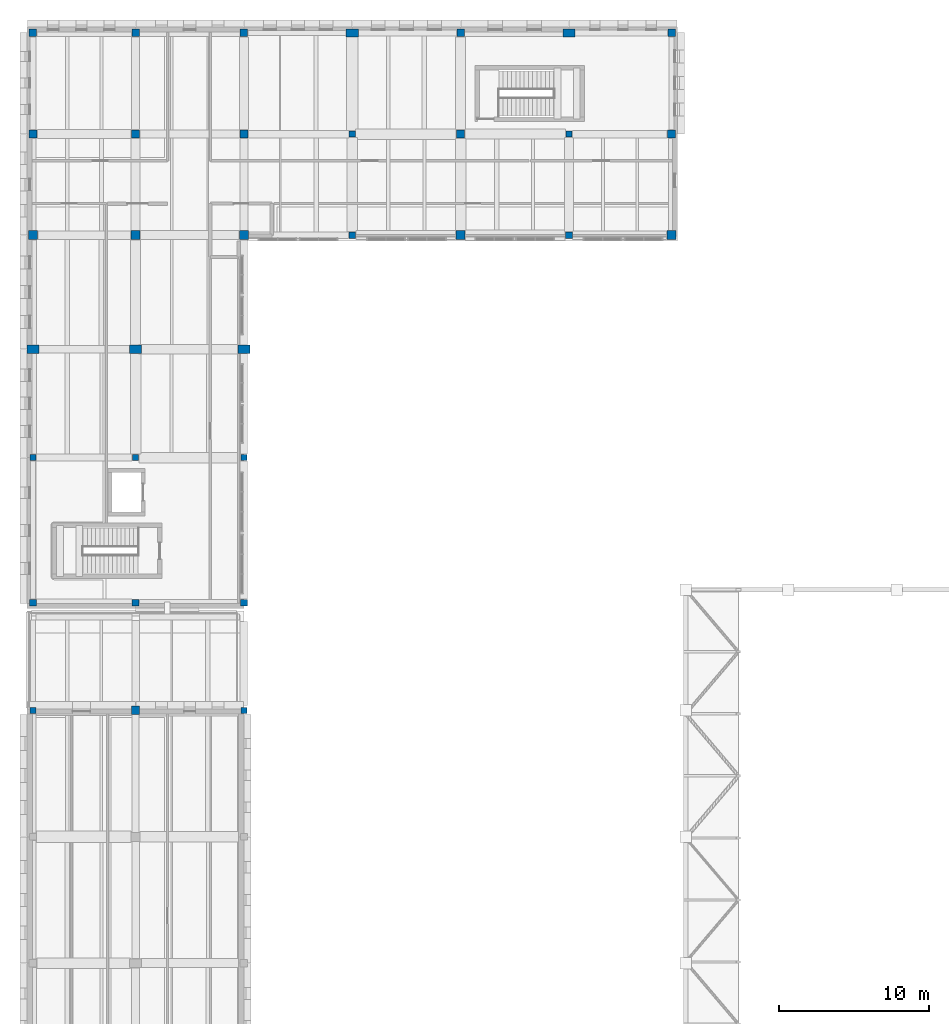
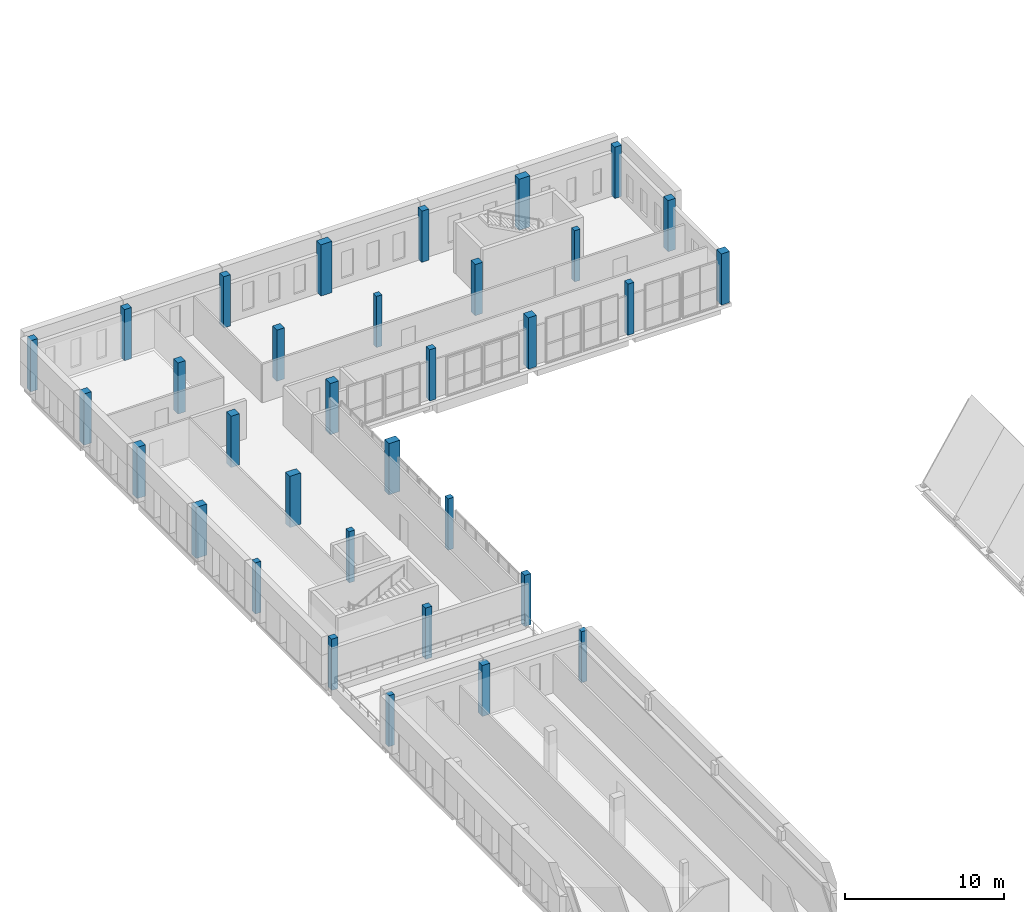
# One storey, part 6 of 56: 33 columns.
"""IFC4 building model written with IfcOpenShell, lengths in metres."""

from ifc_helpers import new_model, si_unit, direction, frame, origin, origin_2d, place, context, subcontext, project, spatial, rectangle, extrude, material, material_profile, profile_set, type_object, element, save


model = new_model("IFC4")

# Units and contexts
model_context = context("Model", 3, precision=1e-05, world=origin(), true_north=direction((0.0, 1.0)))
body_context = subcontext(model_context, "Body", "Model", "MODEL_VIEW")
ifc_project = project(units=[si_unit("LENGTHUNIT", "METRE"), si_unit("AREAUNIT", "SQUARE_METRE"), si_unit("VOLUMEUNIT", "CUBIC_METRE"), si_unit("PLANEANGLEUNIT", "RADIAN"), si_unit("MASSUNIT", "GRAM", prefix="KILO")], contexts=[model_context])

# Site, building, storey
site_placement = place(None, origin())
site = spatial("IfcSite", under=ifc_project, at=site_placement, CompositionType="ELEMENT")
building_placement = place(site_placement, origin())
building = spatial("IfcBuilding", under=site, at=building_placement, Name="Vardoun Plaza Health Centre", CompositionType="ELEMENT")
storey_placement = place(building_placement, frame((0.0, 0.0, 8.699951171875)))
storey = spatial("IfcBuildingStorey", under=building, at=storey_placement, Name="L02", CompositionType="ELEMENT", Elevation=8.699951171875)

# Columns
ifc_material_1 = material(Name="Concrete C40/50", Category="concrete")
ifc_material_profile_1 = material_profile(ifc_material_1, rectangle(XDim=0.39990234375, YDim=0.39990234375, at=origin_2d()), Name="RC-COL 400x400")
ifc_profile_set_1 = profile_set([ifc_material_profile_1], Name="Concrete C40/50")
column_type_1 = type_object("IfcColumnType", Name="C-08", PredefinedType="COLUMN", material=ifc_profile_set_1)
for number, where, z_axis, x_axis, name in (
    (1, (4.8798828125, 69.900146484375, 0.0), (0.0, 0.0, 1.0), (1.0, 0.0, 0.0), "V2 L02 Column C-V2-09"),
    (2, (18.89990234375, 69.900146484375, 0.0), (0.0, 0.0, 1.0), (1.0, 0.0, 0.0), "V2 L02 Column C-V2-27"),
):
    element("IfcColumn", number, at=place(storey_placement, frame(where, z_axis=z_axis, x_axis=x_axis)), inside=storey, type_object=column_type_1, Name=name, PredefinedType="COLUMN", context=body_context, shape_type="SweptSolid", body=[
        extrude(rectangle(XDim=0.39990234375, YDim=0.39990234375, at=origin_2d()), origin(), (0.0, 0.0, 1.0), 3.920166015625),
    ])
for number, where, z_axis, x_axis, name in (
    (3, (4.8798828125, 86.699951171875, 0.0), (0.0, 0.0, 1.0), (1.0, 0.0, 0.0), "V3 L02 Column C-V3-02"),
    (4, (11.699951171875, 86.699951171875, 0.0), (0.0, 0.0, 1.0), (1.0, 0.0, 0.0), "V3 L02 Column C-V3-08"),
    (5, (18.89990234375, 86.699951171875, 0.0), (0.0, 0.0, 1.0), (1.0, 0.0, 0.0), "V3 L02 Column C-V3-14"),
    (6, (26.10009765625, 108.199951171875, 0.0), (0.0, 0.0, 1.0), (1.0, 0.0, 0.0), "V3 L02 Column C-V3-20"),
    (7, (40.5, 108.199951171875, 0.0), (0.0, 0.0, 1.0), (1.0, 0.0, 0.0), "V3 L02 Column C-V3-26"),
):
    element("IfcColumn", number, at=place(storey_placement, frame(where, z_axis=z_axis, x_axis=x_axis)), inside=storey, type_object=column_type_1, Name=name, PredefinedType="COLUMN", context=body_context, shape_type="SweptSolid", body=[
        extrude(rectangle(XDim=0.39990234375, YDim=0.39990234375, at=origin_2d()), origin(), (0.0, 0.0, 1.0), 3.93505859375),
    ])
ifc_material_2 = material(Name="Concrete C40/50", Category="concrete")
ifc_material_profile_2 = material_profile(ifc_material_2, rectangle(XDim=0.449951171875, YDim=0.449951171875, at=origin_2d()), Name="RC-COL 450x450")
ifc_profile_set_2 = profile_set([ifc_material_profile_2], Name="Concrete C40/50")
column_type_2 = type_object("IfcColumnType", Name="C-07", PredefinedType="COLUMN", material=ifc_profile_set_2)
for number, where, z_axis, x_axis, name in (
    (8, (4.8798828125, 77.06005859375, 0.0), (0.0, 0.0, 1.0), (1.0, 0.0, 0.0), "V3 L02 Column C-V3-01"),
    (9, (11.699951171875, 77.06005859375, 0.0), (0.0, 0.0, 1.0), (1.0, 0.0, 0.0), "V3 L02 Column C-V3-07"),
    (10, (18.89990234375, 77.06005859375, 0.0), (0.0, 0.0, 1.0), (1.0, 0.0, 0.0), "V3 L02 Column C-V3-13"),
    (11, (26.10009765625, 101.47998046875, 0.0), (0.0, 0.0, 1.0), (1.0, 0.0, 0.0), "V3 L02 Column C-V3-19"),
    (12, (40.5, 101.47998046875, 0.0), (0.0, 0.0, 1.0), (1.0, 0.0, 0.0), "V3 L02 Column C-V3-25"),
):
    element("IfcColumn", number, at=place(storey_placement, frame(where, z_axis=z_axis, x_axis=x_axis)), inside=storey, type_object=column_type_2, Name=name, PredefinedType="COLUMN", context=body_context, shape_type="SweptSolid", body=[
        extrude(rectangle(XDim=0.449951171875, YDim=0.449951171875, at=origin_2d()), origin(), (0.0, 0.0, 1.0), 3.93505859375),
    ])
ifc_material_3 = material(Name="Concrete C40/50", Category="concrete")
ifc_material_profile_3 = material_profile(ifc_material_3, rectangle(XDim=0.5, YDim=0.5, at=origin_2d()), Name="RC-COL 500x500")
ifc_profile_set_3 = profile_set([ifc_material_profile_3], Name="Concrete C40/50")
column_type_3 = type_object("IfcColumnType", Name="C-06", PredefinedType="COLUMN", material=ifc_profile_set_3)
for number, where, z_axis, x_axis, name in (
    (13, (4.8798828125, 114.919921875, 0.0), (0.0, 0.0, 1.0), (1.0, 0.0, 0.0), "V3 L02 Column C-V3-06"),
    (14, (11.699951171875, 114.919921875, 0.0), (0.0, 0.0, 1.0), (1.0, 0.0, 0.0), "V3 L02 Column C-V3-12"),
    (15, (18.89990234375, 114.919921875, 0.0), (0.0, 0.0, 1.0), (1.0, 0.0, 0.0), "V3 L02 Column C-V3-18"),
    (16, (33.300048828125, 114.919921875, 0.0), (0.0, 0.0, 1.0), (1.0, 0.0, 0.0), "V3 L02 Column C-V3-24"),
    (17, (47.320068359375, 114.919921875, 0.0), (0.0, 0.0, 1.0), (1.0, 0.0, 0.0), "V3 L02 Column C-V3-30"),
):
    element("IfcColumn", number, at=place(storey_placement, frame(where, z_axis=z_axis, x_axis=x_axis)), inside=storey, type_object=column_type_3, Name=name, PredefinedType="COLUMN", context=body_context, shape_type="SweptSolid", body=[
        extrude(rectangle(XDim=0.5, YDim=0.5, at=origin_2d()), origin(), (0.0, 0.0, 1.0), 3.93505859375),
    ])
ifc_material_4 = material(Name="Concrete C40/50", Category="concrete")
ifc_material_profile_4 = material_profile(ifc_material_4, rectangle(XDim=0.550048828125, YDim=0.550048828125, at=origin_2d()), Name="RC-COL 550x550")
ifc_profile_set_4 = profile_set([ifc_material_profile_4], Name="Concrete C40/50")
column_type_4 = type_object("IfcColumnType", Name="C-05", PredefinedType="COLUMN", material=ifc_profile_set_4)
column_placement = place(storey_placement, frame((11.699951171875, 69.900146484375, 0.0), z_axis=(0.0, 0.0, 1.0), x_axis=(1.0, 0.0, 0.0)))
element("IfcColumn", 18, at=column_placement, inside=storey, type_object=column_type_4, Name="V2 L02 Column C-V2-18", PredefinedType="COLUMN", context=body_context, shape_type="SweptSolid", body=[
    extrude(rectangle(XDim=0.550048828125, YDim=0.550048828125, at=origin_2d()), origin(), (0.0, 0.0, 1.0), 3.920166015625),
])
for number, where, z_axis, x_axis, name in (
    (19, (4.8798828125, 108.199951171875, 0.0), (0.0, 0.0, 1.0), (1.0, 0.0, 0.0), "V3 L02 Column C-V3-05"),
    (20, (11.699951171875, 108.199951171875, 0.0), (0.0, 0.0, 1.0), (1.0, 0.0, 0.0), "V3 L02 Column C-V3-11"),
    (21, (18.89990234375, 108.199951171875, 0.0), (0.0, 0.0, 1.0), (1.0, 0.0, 0.0), "V3 L02 Column C-V3-17"),
    (22, (33.300048828125, 108.199951171875, 0.0), (0.0, 0.0, 1.0), (1.0, 0.0, 0.0), "V3 L02 Column C-V3-23"),
    (23, (47.320068359375, 108.199951171875, 0.0), (0.0, 0.0, 1.0), (1.0, 0.0, 0.0), "V3 L02 Column C-V3-29"),
):
    element("IfcColumn", number, at=place(storey_placement, frame(where, z_axis=z_axis, x_axis=x_axis)), inside=storey, type_object=column_type_4, Name=name, PredefinedType="COLUMN", context=body_context, shape_type="SweptSolid", body=[
        extrude(rectangle(XDim=0.550048828125, YDim=0.550048828125, at=origin_2d()), origin(), (0.0, 0.0, 1.0), 3.93505859375),
    ])
ifc_material_5 = material(Name="Concrete C40/50", Category="concrete")
ifc_material_profile_5 = material_profile(ifc_material_5, rectangle(XDim=0.60009765625, YDim=0.60009765625, at=origin_2d()), Name="RC-COL 600x600")
ifc_profile_set_5 = profile_set([ifc_material_profile_5], Name="Concrete C40/50")
column_type_5 = type_object("IfcColumnType", Name="C-04", PredefinedType="COLUMN", material=ifc_profile_set_5)
for number, where, z_axis, x_axis, name in (
    (24, (4.8798828125, 101.47998046875, 0.0), (0.0, 0.0, 1.0), (1.0, 0.0, 0.0), "V3 L02 Column C-V3-04"),
    (25, (11.699951171875, 101.47998046875, 0.0), (0.0, 0.0, 1.0), (1.0, 0.0, 0.0), "V3 L02 Column C-V3-10"),
    (26, (18.89990234375, 101.47998046875, 0.0), (0.0, 0.0, 1.0), (1.0, 0.0, 0.0), "V3 L02 Column C-V3-16"),
    (27, (33.300048828125, 101.47998046875, 0.0), (0.0, 0.0, 1.0), (1.0, 0.0, 0.0), "V3 L02 Column C-V3-22"),
    (28, (47.320068359375, 101.47998046875, 0.0), (0.0, 0.0, 1.0), (1.0, 0.0, 0.0), "V3 L02 Column C-V3-28"),
):
    element("IfcColumn", number, at=place(storey_placement, frame(where, z_axis=z_axis, x_axis=x_axis)), inside=storey, type_object=column_type_5, Name=name, PredefinedType="COLUMN", context=body_context, shape_type="SweptSolid", body=[
        extrude(rectangle(XDim=0.60009765625, YDim=0.60009765625, at=origin_2d()), origin(), (0.0, 0.0, 1.0), 3.93505859375),
    ])
ifc_material_6 = material(Name="Concrete C40/50", Category="concrete")
ifc_material_profile_6 = material_profile(ifc_material_6, rectangle(XDim=0.800048828125, YDim=0.550048828125, at=origin_2d()), Name="RC-COL 800x550")
ifc_profile_set_6 = profile_set([ifc_material_profile_6], Name="Concrete C40/50")
column_type_6 = type_object("IfcColumnType", Name="C-09", PredefinedType="COLUMN", material=ifc_profile_set_6)
for number, where, z_axis, x_axis, name in (
    (29, (4.8798828125, 93.900146484375, 0.0), (0.0, 0.0, 1.0), (1.0, 0.0, 0.0), "V3 L02 Column C-V3-03"),
    (30, (11.699951171875, 93.900146484375, 0.0), (0.0, 0.0, 1.0), (1.0, 0.0, 0.0), "V3 L02 Column C-V3-09"),
    (31, (18.89990234375, 93.900146484375, 0.0), (0.0, 0.0, 1.0), (1.0, 0.0, 0.0), "V3 L02 Column C-V3-15"),
    (32, (26.10009765625, 114.919921875, 0.0), (0.0, 0.0, 1.0), (1.0, 0.0, 0.0), "V3 L02 Column C-V3-21"),
    (33, (40.5, 114.919921875, 0.0), (0.0, 0.0, 1.0), (1.0, 0.0, 0.0), "V3 L02 Column C-V3-27"),
):
    element("IfcColumn", number, at=place(storey_placement, frame(where, z_axis=z_axis, x_axis=x_axis)), inside=storey, type_object=column_type_6, Name=name, PredefinedType="COLUMN", context=body_context, shape_type="SweptSolid", body=[
        extrude(rectangle(XDim=0.800048828125, YDim=0.550048828125, at=origin_2d()), origin(), (0.0, 0.0, 1.0), 3.93505859375),
    ])

save(model, "model.ifc")
